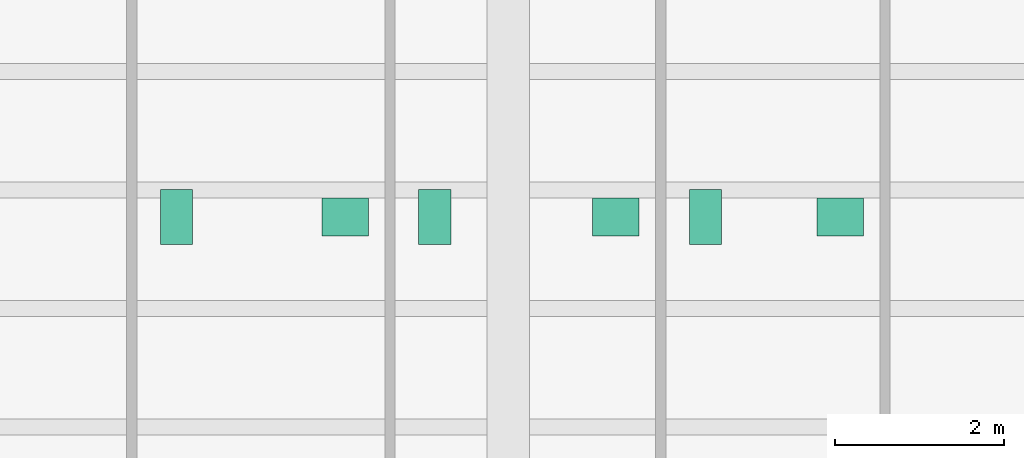
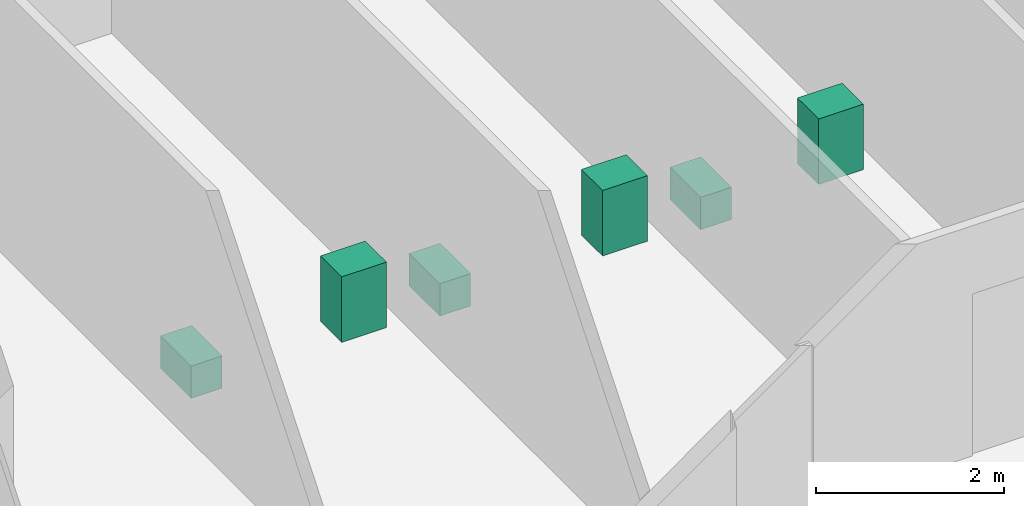
# One storey, part 10 of 10: 6 sanitary terminals.
"""IFC4 building model written with IfcOpenShell, lengths in metres."""

from ifc_helpers import new_model, si_unit, direction, frame, origin, origin_2d, place, context, subcontext, project, spatial, rectangle, extrude, material, type_object, element, save


model = new_model("IFC4")

# Units and contexts
model_context = context("Model", 3, precision=1e-05, world=origin(), true_north=direction((0.0, 1.0)))
body_context = subcontext(model_context, "Body", "Model", "MODEL_VIEW")
ifc_project = project(units=[si_unit("LENGTHUNIT", "METRE"), si_unit("AREAUNIT", "SQUARE_METRE"), si_unit("VOLUMEUNIT", "CUBIC_METRE"), si_unit("PLANEANGLEUNIT", "RADIAN"), si_unit("MASSUNIT", "GRAM", prefix="KILO")], contexts=[model_context])

# Site, building, storey
site_placement = place(None, origin())
site = spatial("IfcSite", under=ifc_project, at=site_placement, CompositionType="ELEMENT")
building_placement = place(site_placement, origin())
building = spatial("IfcBuilding", under=site, at=building_placement, Name="Kranthara Brick Stack", CompositionType="ELEMENT")
storey_placement = place(building_placement, frame((0.0, 0.0, 106.199951171875)))
storey = spatial("IfcBuildingStorey", under=building, at=storey_placement, Name="L26", CompositionType="ELEMENT", Elevation=106.199951171875)

# Sanitary terminals
ifc_material_1 = material(Name="Vitreous china sanitary porcelain", Category="other")
sanitary_terminal_type_1 = type_object("IfcSanitaryTerminalType", Name="SAN-BASIN", PredefinedType="WASHHANDBASIN", material=ifc_material_1)
for number, where, z_axis, x_axis, name in (
    (1, (26.070068359375, 29.985107421875, 0.0), (0.0, 0.0, 1.0), (1.0, 0.0, 0.0), "L26 Washbasin 80"),
    (2, (29.27001953125, 29.985107421875, 0.0), (0.0, 0.0, 1.0), (1.0, 0.0, 0.0), "L26 Washbasin 81"),
    (3, (31.919921875, 29.985107421875, 0.0), (0.0, 0.0, 1.0), (1.0, 0.0, 0.0), "L26 Washbasin 82"),
):
    element("IfcSanitaryTerminal", number, at=place(storey_placement, frame(where, z_axis=z_axis, x_axis=x_axis)), inside=storey, type_object=sanitary_terminal_type_1, Name=name, PredefinedType="WASHHANDBASIN", context=body_context, shape_type="SweptSolid", body=[
        extrude(rectangle(XDim=0.550048828125, YDim=0.449951171875, at=origin_2d()), origin(), (0.0, 0.0, 1.0), 0.85009765625),
    ])
ifc_material_2 = material(Name="Vitreous china sanitary porcelain", Category="other")
sanitary_terminal_type_2 = type_object("IfcSanitaryTerminalType", Name="SAN-WC-PAN", PredefinedType="TOILETPAN", material=ifc_material_2)
for number, where, z_axis, x_axis, name in (
    (4, (24.080078125, 29.985107421875, 0.0), (0.0, 0.0, 1.0), (1.0, 0.0, 0.0), "L26 WC Pan 80"),
    (5, (27.1298828125, 29.985107421875, 0.0), (0.0, 0.0, 1.0), (1.0, 0.0, 0.0), "L26 WC Pan 81"),
    (6, (30.330078125, 29.985107421875, 0.0), (0.0, 0.0, 1.0), (1.0, 0.0, 0.0), "L26 WC Pan 82"),
):
    element("IfcSanitaryTerminal", number, at=place(storey_placement, frame(where, z_axis=z_axis, x_axis=x_axis)), inside=storey, type_object=sanitary_terminal_type_2, Name=name, PredefinedType="TOILETPAN", context=body_context, shape_type="SweptSolid", body=[
        extrude(rectangle(XDim=0.3798828125, YDim=0.64990234375, at=origin_2d()), origin(), (0.0, 0.0, 1.0), 0.419921875),
    ])

save(model, "model.ifc")
